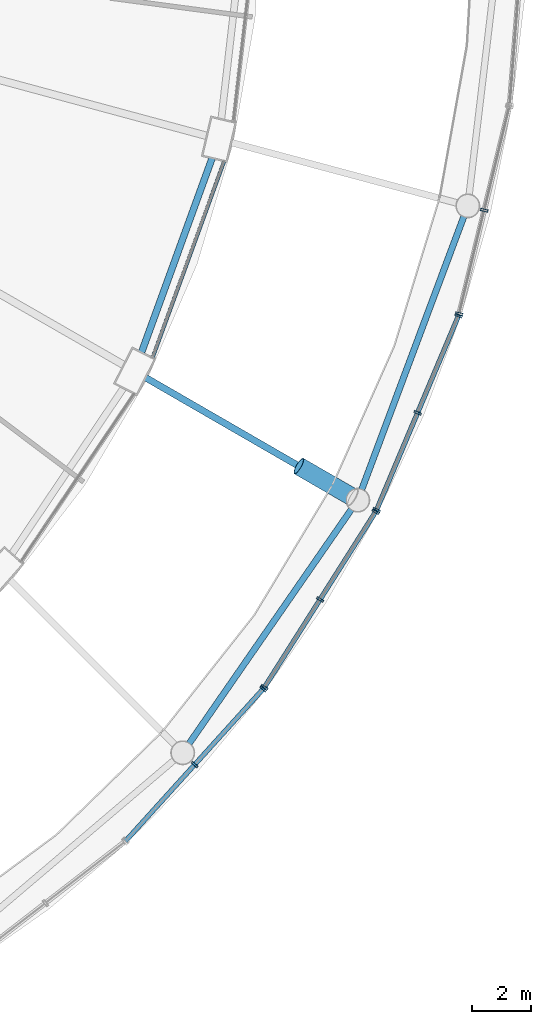
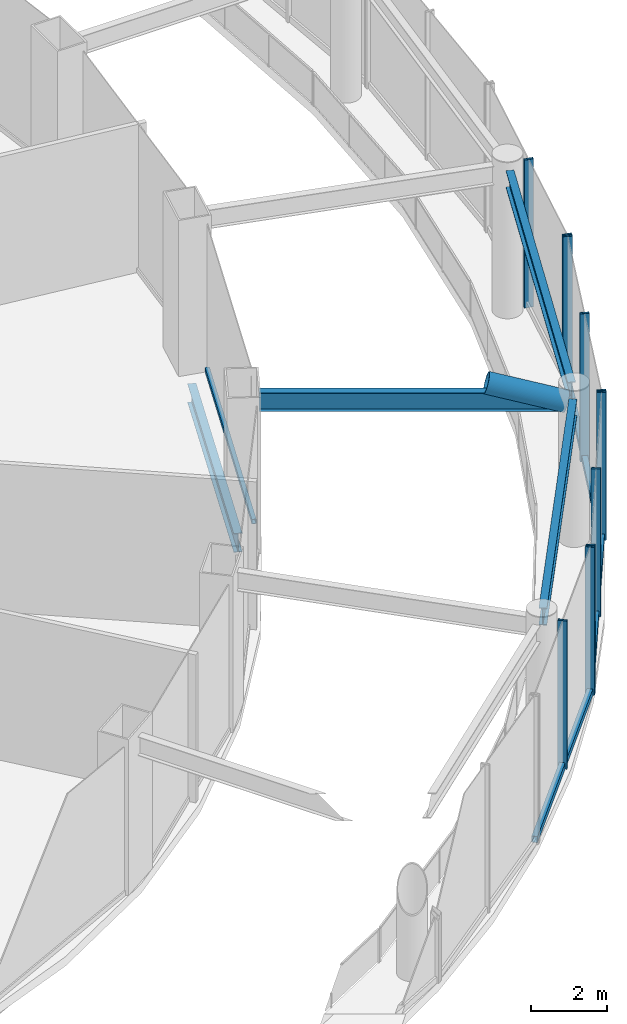
# One storey, part 26 of 52: 15 members, 4 beams, 5 elements without a shape of their own.
"""IFC4 building model written with IfcOpenShell, lengths in metres."""

from ifc_helpers import new_model, si_unit, direction, frame, origin, origin_2d, place, context, subcontext, project, spatial, hollow_rectangle, hollow_circle, i_section, extrude, material, layer, layer_set, material_profile, profile_set, type_object, element, aggregate, save


model = new_model("IFC4")

# Units and contexts
model_context = context("Model", 3, precision=1e-05, world=origin(), true_north=direction((0.0, 1.0)))
body_context = subcontext(model_context, "Body", "Model", "MODEL_VIEW")
ifc_project = project(units=[si_unit("LENGTHUNIT", "METRE"), si_unit("AREAUNIT", "SQUARE_METRE"), si_unit("VOLUMEUNIT", "CUBIC_METRE"), si_unit("PLANEANGLEUNIT", "RADIAN"), si_unit("MASSUNIT", "GRAM", prefix="KILO")], contexts=[model_context])

# Site, building, storey
site_placement = place(None, origin())
site = spatial("IfcSite", under=ifc_project, at=site_placement, CompositionType="ELEMENT")
building_placement = place(site_placement, origin())
building = spatial("IfcBuilding", under=site, at=building_placement, Name="Nagisa Residences", CompositionType="ELEMENT")
storey_placement = place(building_placement, frame((0.0, 0.0, 22.0)))
storey = spatial("IfcBuildingStorey", under=building, at=storey_placement, Name="L04", CompositionType="ELEMENT", Elevation=22.0)

# Beams
ifc_material_1 = material(Name="Steel ASTM A572 Gr 50", Category="steel")
ifc_material_profile_1 = material_profile(ifc_material_1, i_section(OverallWidth=0.214111328125, OverallDepth=0.549072265625, WebThickness=0.0146484375, FlangeThickness=0.023681640625, at=origin_2d()), Name="W530x138")
ifc_profile_set_1 = profile_set([ifc_material_profile_1], Name="Steel ASTM A572 Gr 50")
beam_type_1 = type_object("IfcBeamType", Name="Atrium ring beam W530x138", PredefinedType="BEAM", material=ifc_profile_set_1)
beam_1_placement = place(storey_placement, frame((30.12451171875, -28.815185546875, 4.4755859375), z_axis=(0.569488756983, 0.821999121453, 0.0), x_axis=(-0.821999121453, 0.569488756983, 0.0)))
element("IfcBeam", 1, at=beam_1_placement, inside=storey, type_object=beam_type_1, Name="beam:L04:rab22", PredefinedType="BEAM", context=body_context, shape_type="SweptSolid", body=[
    extrude(i_section(OverallWidth=0.214111328125, OverallDepth=0.549072265625, WebThickness=0.0146484375, FlangeThickness=0.023681640625, at=origin_2d()), origin(), (0.0, 0.0, 1.0), 9.607666015625),
])
beam_2_placement = place(storey_placement, frame((35.951416015625, -20.238037109375, 4.4755859375), z_axis=(0.350304540877, 0.936635857012, 0.0), x_axis=(-0.936635857012, 0.350304540877, 0.0)))
element("IfcBeam", 2, at=beam_2_placement, inside=storey, type_object=beam_type_1, Name="beam:L04:rab23", PredefinedType="BEAM", context=body_context, shape_type="SweptSolid", body=[
    extrude(i_section(OverallWidth=0.214111328125, OverallDepth=0.549072265625, WebThickness=0.0146484375, FlangeThickness=0.023681640625, at=origin_2d()), origin(), (0.0, 0.0, 1.0), 9.8359375),
])
ifc_material_2 = material(Name="Steel ASTM A572 Gr 50", Category="steel")
ifc_material_profile_2 = material_profile(ifc_material_2, i_section(OverallWidth=0.22802734375, OverallDepth=0.60302734375, WebThickness=0.010498046875, FlangeThickness=0.014892578125, at=origin_2d()), Name="W610x101")
ifc_profile_set_2 = profile_set([ifc_material_profile_2], Name="Steel ASTM A572 Gr 50")
beam_type_2 = type_object("IfcBeamType", Name="Atrium roof beam W610x101", PredefinedType="BEAM", material=ifc_profile_set_2)
beam_3_placement = place(storey_placement, frame((28.65478515625, -16.46533203125, 4.448486328125), z_axis=(0.866023636568, -0.500003060896, 0.0), x_axis=(0.500003060896, 0.866023636568, 0.0)))
element("IfcBeam", 3, at=beam_3_placement, inside=storey, type_object=beam_type_2, Name="beam:L04:rer23", PredefinedType="BEAM", context=body_context, shape_type="SweptSolid", body=[
    extrude(i_section(OverallWidth=0.22802734375, OverallDepth=0.60302734375, WebThickness=0.010498046875, FlangeThickness=0.014892578125, at=origin_2d()), origin(), (0.0, 0.0, 1.0), 7.8828125),
])

# Curtain wall, members
ifc_material_3 = material(Name="Stainless steel curtain wall system", Category="steel")
ifc_layer_1 = layer(ifc_material_3, 0.159912109375)
ifc_layer_set_1 = layer_set([ifc_layer_1], Name="CW3 CURTAIN WALL")
curtain_wall_type_1 = type_object("IfcCurtainWallType", Name="CW3 CURTAIN WALL", PredefinedType="NOTDEFINED", material=ifc_layer_set_1)
curtain_wall_1_placement = place(storey_placement, origin())
curtain_wall_1 = element("IfcCurtainWall", 4, at=curtain_wall_1_placement, inside=storey, type_object=curtain_wall_type_1, Name="cw:CW3:L04:31", PredefinedType="NOTDEFINED")
ifc_material_4 = material(Name="Stainless steel", Category="steel")
ifc_material_profile_3 = material_profile(ifc_material_4, hollow_rectangle(XDim=0.25, YDim=0.080078125, WallThickness=0.008056640625, at=origin_2d()), Name="CW3 MULLION 250x80")
ifc_profile_set_3 = profile_set([ifc_material_profile_3], Name="Stainless steel")
member_type_1 = type_object("IfcMemberType", Name="CW3 MULLION 250x80", PredefinedType="MULLION", material=ifc_profile_set_3)
member_1_placement = place(storey_placement, frame((30.30859375, -29.53173828125, 0.0), z_axis=(0.0, 0.0, 1.0), x_axis=(-0.741535779122, 0.670913323971, 0.0)))
member_1 = element("IfcMember", 5, at=member_1_placement, type_object=member_type_1, Name="CW3 mullion", PredefinedType="MULLION", context=body_context, shape_type="SweptSolid", body=[
    extrude(hollow_rectangle(XDim=0.25, YDim=0.080078125, WallThickness=0.008056640625, at=origin_2d()), origin(), (0.0, 0.0, 1.0), 4.739990234375),
])
member_2_placement = place(storey_placement, frame((32.62353515625, -26.97314453125, 0.0), z_axis=(0.0, 0.0, 1.0), x_axis=(-0.741535779122, 0.670913323971, 0.0)))
member_2 = element("IfcMember", 6, at=member_2_placement, type_object=member_type_1, Name="CW3 mullion", PredefinedType="MULLION", context=body_context, shape_type="SweptSolid", body=[
    extrude(hollow_rectangle(XDim=0.25, YDim=0.080078125, WallThickness=0.008056640625, at=origin_2d()), origin(), (0.0, 0.0, 1.0), 4.739990234375),
])

curtain_wall_2_placement = place(storey_placement, origin())
curtain_wall_2 = element("IfcCurtainWall", 7, at=curtain_wall_2_placement, inside=storey, type_object=curtain_wall_type_1, Name="cw:CW3:L04:32", PredefinedType="NOTDEFINED")
member_3_placement = place(storey_placement, frame((32.66357421875, -26.92041015625, 0.0), z_axis=(0.0, 0.0, 1.0), x_axis=(-0.844747368001, 0.535165286856, 0.0)))
member_3 = element("IfcMember", 8, at=member_3_placement, type_object=member_type_1, Name="CW3 mullion", PredefinedType="MULLION", context=body_context, shape_type="SweptSolid", body=[
    extrude(hollow_rectangle(XDim=0.25, YDim=0.080078125, WallThickness=0.008056640625, at=origin_2d()), origin(), (0.0, 0.0, 1.0), 4.739990234375),
])
member_4_placement = place(storey_placement, frame((34.541748046875, -23.955810546875, 0.0), z_axis=(0.0, 0.0, 1.0), x_axis=(-0.844747368001, 0.535165286856, 0.0)))
member_4 = element("IfcMember", 9, at=member_4_placement, type_object=member_type_1, Name="CW3 mullion", PredefinedType="MULLION", context=body_context, shape_type="SweptSolid", body=[
    extrude(hollow_rectangle(XDim=0.25, YDim=0.080078125, WallThickness=0.008056640625, at=origin_2d()), origin(), (0.0, 0.0, 1.0), 4.739990234375),
])
member_5_placement = place(storey_placement, frame((36.419921875, -20.990966796875, 0.0), z_axis=(0.0, 0.0, 1.0), x_axis=(-0.844747368001, 0.535165286856, 0.0)))
member_5 = element("IfcMember", 10, at=member_5_placement, type_object=member_type_1, Name="CW3 mullion", PredefinedType="MULLION", context=body_context, shape_type="SweptSolid", body=[
    extrude(hollow_rectangle(XDim=0.25, YDim=0.080078125, WallThickness=0.008056640625, at=origin_2d()), origin(), (0.0, 0.0, 1.0), 4.739990234375),
])

curtain_wall_3_placement = place(storey_placement, origin())
curtain_wall_3 = element("IfcCurtainWall", 11, at=curtain_wall_3_placement, inside=storey, type_object=curtain_wall_type_1, Name="cw:CW3:L04:33", PredefinedType="NOTDEFINED")
member_6_placement = place(storey_placement, frame((36.45068359375, -20.93212890625, 0.0), z_axis=(0.0, 0.0, 1.0), x_axis=(-0.921356767819, 0.388718029417, 0.0)))
member_6 = element("IfcMember", 12, at=member_6_placement, type_object=member_type_1, Name="CW3 mullion", PredefinedType="MULLION", context=body_context, shape_type="SweptSolid", body=[
    extrude(hollow_rectangle(XDim=0.25, YDim=0.080078125, WallThickness=0.008056640625, at=origin_2d()), origin(), (0.0, 0.0, 1.0), 4.739990234375),
])
member_7_placement = place(storey_placement, frame((37.8349609375, -17.6513671875, 0.0), z_axis=(0.0, 0.0, 1.0), x_axis=(-0.921356767819, 0.388718029417, 0.0)))
member_7 = element("IfcMember", 13, at=member_7_placement, type_object=member_type_1, Name="CW3 mullion", PredefinedType="MULLION", context=body_context, shape_type="SweptSolid", body=[
    extrude(hollow_rectangle(XDim=0.25, YDim=0.080078125, WallThickness=0.008056640625, at=origin_2d()), origin(), (0.0, 0.0, 1.0), 4.739990234375),
])
member_8_placement = place(storey_placement, frame((39.218994140625, -14.37060546875, 0.0), z_axis=(0.0, 0.0, 1.0), x_axis=(-0.921356767819, 0.388718029417, 0.0)))
member_8 = element("IfcMember", 14, at=member_8_placement, type_object=member_type_1, Name="CW3 mullion", PredefinedType="MULLION", context=body_context, shape_type="SweptSolid", body=[
    extrude(hollow_rectangle(XDim=0.25, YDim=0.080078125, WallThickness=0.008056640625, at=origin_2d()), origin(), (0.0, 0.0, 1.0), 4.739990234375),
])

curtain_wall_4_placement = place(storey_placement, origin())
curtain_wall_4 = element("IfcCurtainWall", 15, at=curtain_wall_4_placement, inside=storey, type_object=curtain_wall_type_1, Name="cw:CW3:L04:34", PredefinedType="NOTDEFINED")
member_9_placement = place(storey_placement, frame((39.239990234375, -14.30712890625, 0.0), z_axis=(0.0, 0.0, 1.0), x_axis=(-0.971848775146, 0.235605514043, 0.0)))
member_9 = element("IfcMember", 16, at=member_9_placement, type_object=member_type_1, Name="CW3 mullion", PredefinedType="MULLION", context=body_context, shape_type="SweptSolid", body=[
    extrude(hollow_rectangle(XDim=0.25, YDim=0.080078125, WallThickness=0.008056640625, at=origin_2d()), origin(), (0.0, 0.0, 1.0), 4.739990234375),
])
member_10_placement = place(storey_placement, frame((40.087646484375, -10.810302734375, 0.0), z_axis=(0.0, 0.0, 1.0), x_axis=(-0.971848775146, 0.235605514043, 0.0)))
member_10 = element("IfcMember", 17, at=member_10_placement, type_object=member_type_1, Name="CW3 mullion", PredefinedType="MULLION", context=body_context, shape_type="SweptSolid", body=[
    extrude(hollow_rectangle(XDim=0.25, YDim=0.080078125, WallThickness=0.008056640625, at=origin_2d()), origin(), (0.0, 0.0, 1.0), 4.739990234375),
])
aggregate(curtain_wall_4, [member_9, member_10])

# Member
ifc_material_5 = material(Name="Stainless steel", Category="steel")
ifc_material_profile_4 = material_profile(ifc_material_5, hollow_rectangle(XDim=0.159912109375, YDim=0.199951171875, WallThickness=0.008056640625, at=origin_2d()), Name="CW3 TRANSOM 160x200")
ifc_profile_set_4 = profile_set([ifc_material_profile_4], Name="Stainless steel")
member_type_2 = type_object("IfcMemberType", Name="CW3 TRANSOM 160x200", PredefinedType="USERDEFINED", material=ifc_profile_set_4)
member_11_placement = place(storey_placement, frame((27.966552734375, -32.1201171875, 0.10009765625), z_axis=(0.670921565259, 0.741528322635, 0.0), x_axis=(-0.741528322635, 0.670921565259, 0.0)))
member_11 = element("IfcMember", 18, at=member_11_placement, type_object=member_type_2, Name="CW3 transom", ObjectType="TRANSOM", PredefinedType="USERDEFINED", context=body_context, shape_type="SweptSolid", body=[
    extrude(hollow_rectangle(XDim=0.159912109375, YDim=0.199951171875, WallThickness=0.008056640625, at=origin_2d()), origin(), (0.0, 0.0, 1.0), 6.981201171875),
])

aggregate(curtain_wall_1, [member_1, member_2, member_11])

member_12_placement = place(storey_placement, frame((32.64208984375, -26.954345703125, 0.10009765625), z_axis=(0.535169889444, 0.844744452147, 0.0), x_axis=(-0.844744452147, 0.535169889444, 0.0)))
member_12 = element("IfcMember", 19, at=member_12_placement, type_object=member_type_2, Name="CW3 transom", ObjectType="TRANSOM", PredefinedType="USERDEFINED", context=body_context, shape_type="SweptSolid", body=[
    extrude(hollow_rectangle(XDim=0.159912109375, YDim=0.199951171875, WallThickness=0.008056640625, at=origin_2d()), origin(), (0.0, 0.0, 1.0), 7.099365234375),
])

aggregate(curtain_wall_2, [member_3, member_4, member_5, member_12])

member_13_placement = place(storey_placement, frame((36.435302734375, -20.968994140625, 0.10009765625), z_axis=(0.388708599467, 0.921360746234, 0.0), x_axis=(-0.921360746234, 0.388708599467, 0.0)))
member_13 = element("IfcMember", 20, at=member_13_placement, type_object=member_type_2, Name="CW3 transom", ObjectType="TRANSOM", PredefinedType="USERDEFINED", context=body_context, shape_type="SweptSolid", body=[
    extrude(hollow_rectangle(XDim=0.159912109375, YDim=0.199951171875, WallThickness=0.008056640625, at=origin_2d()), origin(), (0.0, 0.0, 1.0), 7.20166015625),
])

aggregate(curtain_wall_3, [member_6, member_7, member_8, member_13])

# Curtain wall, member
ifc_material_6 = material(Name="Stainless steel curtain wall system", Category="steel")
ifc_layer_2 = layer(ifc_material_6, 0.159912109375)
ifc_layer_set_2 = layer_set([ifc_layer_2], Name="CW6 CURTAIN WALL")
curtain_wall_type_2 = type_object("IfcCurtainWallType", Name="CW6 CURTAIN WALL", PredefinedType="NOTDEFINED", material=ifc_layer_set_2)
curtain_wall_5_placement = place(storey_placement, origin())
curtain_wall_5 = element("IfcCurtainWall", 21, at=curtain_wall_5_placement, inside=storey, type_object=curtain_wall_type_2, Name="cw:CW6:L04:44", PredefinedType="NOTDEFINED")
ifc_material_7 = material(Name="Stainless steel", Category="steel")
ifc_material_profile_5 = material_profile(ifc_material_7, hollow_rectangle(XDim=0.1201171875, YDim=0.14990234375, WallThickness=0.008056640625, at=origin_2d()), Name="CW6 TRANSOM 120x150")
ifc_profile_set_5 = profile_set([ifc_material_profile_5], Name="Stainless steel")
member_type_3 = type_object("IfcMemberType", Name="CW6 TRANSOM 120x150", PredefinedType="USERDEFINED", material=ifc_profile_set_5)
member_14_placement = place(storey_placement, frame((28.87890625, -15.81494140625, 0.074951171875), z_axis=(0.342039719013, 0.939685495587, 0.0), x_axis=(-0.939685495587, 0.342039719013, 0.0)))
member_14 = element("IfcMember", 22, at=member_14_placement, type_object=member_type_3, Name="CW6 transom", ObjectType="TRANSOM", PredefinedType="USERDEFINED", context=body_context, shape_type="SweptSolid", body=[
    extrude(hollow_rectangle(XDim=0.1201171875, YDim=0.14990234375, WallThickness=0.008056640625, at=origin_2d()), origin(), (0.0, 0.0, 1.0), 7.070068359375),
])
aggregate(curtain_wall_5, [member_14])

# Member
ifc_material_8 = material(Name="Steel ASTM A572 Gr 65", Category="steel")
ifc_material_profile_6 = material_profile(ifc_material_8, hollow_circle(Radius=0.304931640625, WallThickness=0.02490234375, at=origin_2d()), Name="CHS 610x25")
ifc_profile_set_6 = profile_set([ifc_material_profile_6], Name="Steel ASTM A572 Gr 65")
member_type_4 = type_object("IfcMemberType", Name="Cage strut CHS 610x25", PredefinedType="STRUT", material=ifc_profile_set_6)
member_15_placement = place(storey_placement, frame((33.82421875, -19.449951171875, 5.0), z_axis=(0.832677989233, -0.480782391152, -0.27476473319), x_axis=(0.500027713859, 0.866009402589, 0.0)))
element("IfcMember", 23, at=member_15_placement, inside=storey, type_object=member_type_4, Name="mem:L04:cg1tie12", PredefinedType="STRUT", context=body_context, shape_type="SweptSolid", body=[
    extrude(hollow_circle(Radius=0.304931640625, WallThickness=0.02490234375, at=origin_2d()), origin(), (0.0, 0.0, 1.0), 2.18408203125),
])

# Beam
ifc_material_9 = material(Name="Steel ASTM A572 Gr 50", Category="steel")
ifc_material_profile_7 = material_profile(ifc_material_9, i_section(OverallWidth=0.22802734375, OverallDepth=0.60302734375, WebThickness=0.010498046875, FlangeThickness=0.014892578125, at=origin_2d()), Name="W610x101")
ifc_profile_set_7 = profile_set([ifc_material_profile_7], Name="Steel ASTM A572 Gr 50")
beam_type_3 = type_object("IfcBeamType", Name="Perimeter ring beam W610x101", PredefinedType="BEAM", material=ifc_profile_set_7)
beam_4_placement = place(storey_placement, frame((28.515625, -15.60595703125, -0.6015625), z_axis=(0.341411143183, 0.939914055279, 0.0), x_axis=(-0.939914055279, 0.341411143183, 0.0)))
element("IfcBeam", 24, at=beam_4_placement, inside=storey, type_object=beam_type_3, Name="beam:L04:pb23", PredefinedType="BEAM", context=body_context, shape_type="SweptSolid", body=[
    extrude(i_section(OverallWidth=0.22802734375, OverallDepth=0.60302734375, WebThickness=0.010498046875, FlangeThickness=0.014892578125, at=origin_2d()), origin(), (0.0, 0.0, 1.0), 6.96923828125),
])

save(model, "model.ifc")
